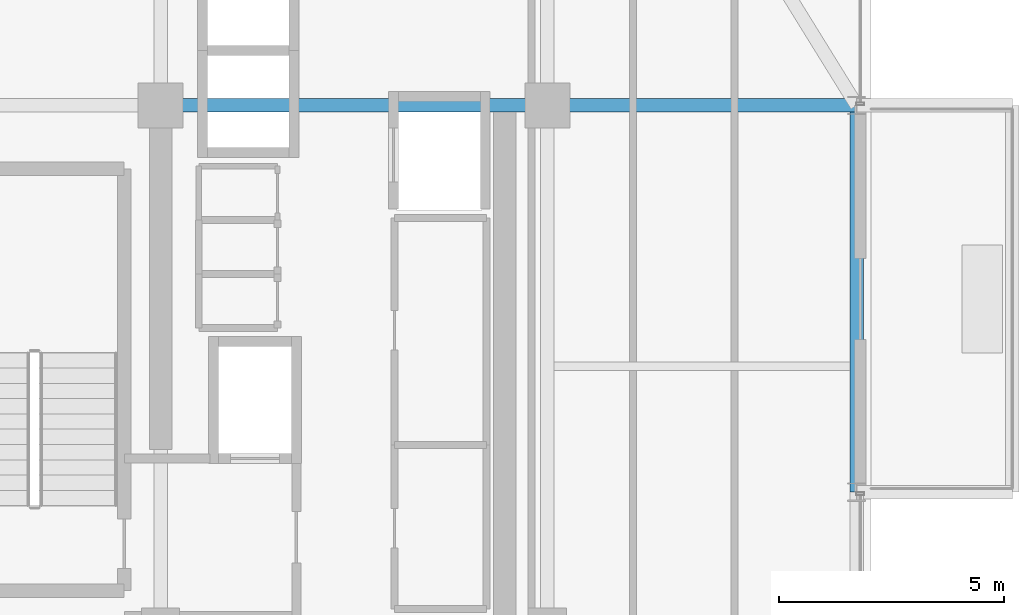
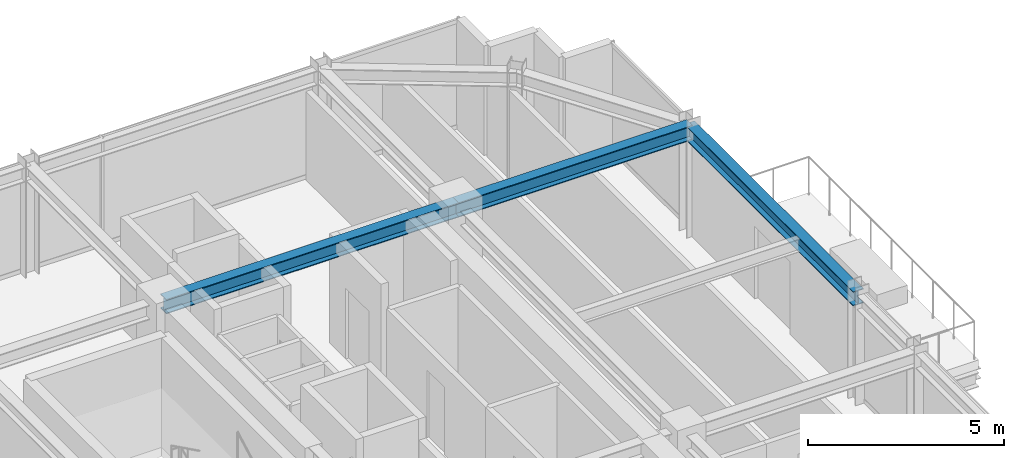
# One storey, part 25 of 36: 3 beams.
"""IFC4 building model written with IfcOpenShell, lengths in metres."""

from ifc_helpers import new_model, si_unit, direction, frame, origin, origin_2d, place, context, subcontext, project, spatial, i_section, extrude, source, transform, mapped, material, material_profile, profile_set, type_object, element, save


model = new_model("IFC4")

# Units and contexts
model_context = context("Model", 3, precision=1e-05, world=origin(), true_north=direction((0.0, 1.0)))
body_context = subcontext(model_context, "Body", "Model", "MODEL_VIEW")
ifc_project = project(units=[si_unit("LENGTHUNIT", "METRE"), si_unit("AREAUNIT", "SQUARE_METRE"), si_unit("VOLUMEUNIT", "CUBIC_METRE"), si_unit("PLANEANGLEUNIT", "RADIAN"), si_unit("MASSUNIT", "GRAM", prefix="KILO")], contexts=[model_context])

# Site, building, storey
site_placement = place(None, origin())
site = spatial("IfcSite", under=ifc_project, at=site_placement, CompositionType="ELEMENT")
building_placement = place(site_placement, origin())
building = spatial("IfcBuilding", under=site, at=building_placement, Name="Nahalor Promenade Grand Hotel", CompositionType="ELEMENT")
storey_placement = place(building_placement, frame((0.0, 0.0, 223.39990234375)))
storey = spatial("IfcBuildingStorey", under=building, at=storey_placement, Name="L57", CompositionType="ELEMENT", Elevation=223.39990234375)

# Beams
ifc_material = material(Name="Steel S355JR", Category="steel")
ifc_material_profile_1 = material_profile(ifc_material, i_section(OverallWidth=0.3, OverallDepth=0.45, WebThickness=0.014, FlangeThickness=0.026, at=origin_2d()), Name="HEB 450")
ifc_profile_set_1 = profile_set([ifc_material_profile_1], Name="Steel S355JR")
beam_type_1 = type_object("IfcBeamType", Name="Beam-Spandrel-HEB450", PredefinedType="SPANDREL", material=ifc_profile_set_1)
shared_shape_1 = source(origin(), body_context, "Body", "SweptSolid", [
    extrude(i_section(OverallWidth=0.3, OverallDepth=0.45, WebThickness=0.014, FlangeThickness=0.026, at=origin_2d()), origin(), (0.0, 0.0, 1.0), 8.60009765625),
])
beam_1_placement = place(storey_placement, frame((23.8798828125, 8.39990234375, 3.18505859375), z_axis=(0.0, 1.0, 0.0), x_axis=(-1.0, 0.0, 0.0)))
element("IfcBeam", 1, at=beam_1_placement, inside=storey, type_object=beam_type_1, Name="BM-L57-SP-E-4", PredefinedType="SPANDREL", context=body_context, shape_type="MappedRepresentation", body=[
    mapped(shared_shape_1, transform((0.0, 0.0, 0.0), scale=1.0)),
])
ifc_material_profile_2 = material_profile(ifc_material, i_section(OverallWidth=0.3, OverallDepth=0.45, WebThickness=0.014, FlangeThickness=0.026, at=origin_2d()), Name="HEB 450")
ifc_profile_set_2 = profile_set([ifc_material_profile_2], Name="Steel S355JR")
beam_type_2 = type_object("IfcBeamType", Name="Beam-Girder-HEB450", PredefinedType="BEAM", material=ifc_profile_set_2)
shared_shape_2 = source(origin(), body_context, "Body", "SweptSolid", [
    extrude(i_section(OverallWidth=0.3, OverallDepth=0.45, WebThickness=0.014, FlangeThickness=0.026, at=origin_2d()), origin(), (0.0, 0.0, 1.0), 6.8798828125),
])
beam_2_placement = place(storey_placement, frame((17.0, 17.0, 3.18505859375), z_axis=(1.0, 0.0, 0.0), x_axis=(0.0, 1.0, 0.0)))
element("IfcBeam", 2, at=beam_2_placement, inside=storey, type_object=beam_type_2, Name="BM-L57-GX-3-6", PredefinedType="BEAM", context=body_context, shape_type="MappedRepresentation", body=[
    mapped(shared_shape_2, transform((0.0, 0.0, 0.0), scale=1.0)),
])
shared_shape_3 = source(origin(), body_context, "Body", "SweptSolid", [
    extrude(i_section(OverallWidth=0.3, OverallDepth=0.45, WebThickness=0.014, FlangeThickness=0.026, at=origin_2d()), origin(), (0.0, 0.0, 1.0), 8.60009765625),
])
beam_3_placement = place(storey_placement, frame((8.39990234375, 17.0, 3.18505859375), z_axis=(1.0, 0.0, 0.0), x_axis=(0.0, 1.0, 0.0)))
element("IfcBeam", 3, at=beam_3_placement, inside=storey, type_object=beam_type_2, Name="BM-L57-GX-3-5", PredefinedType="BEAM", context=body_context, shape_type="MappedRepresentation", body=[
    mapped(shared_shape_3, transform((0.0, 0.0, 0.0), scale=1.0)),
])

save(model, "model.ifc")
